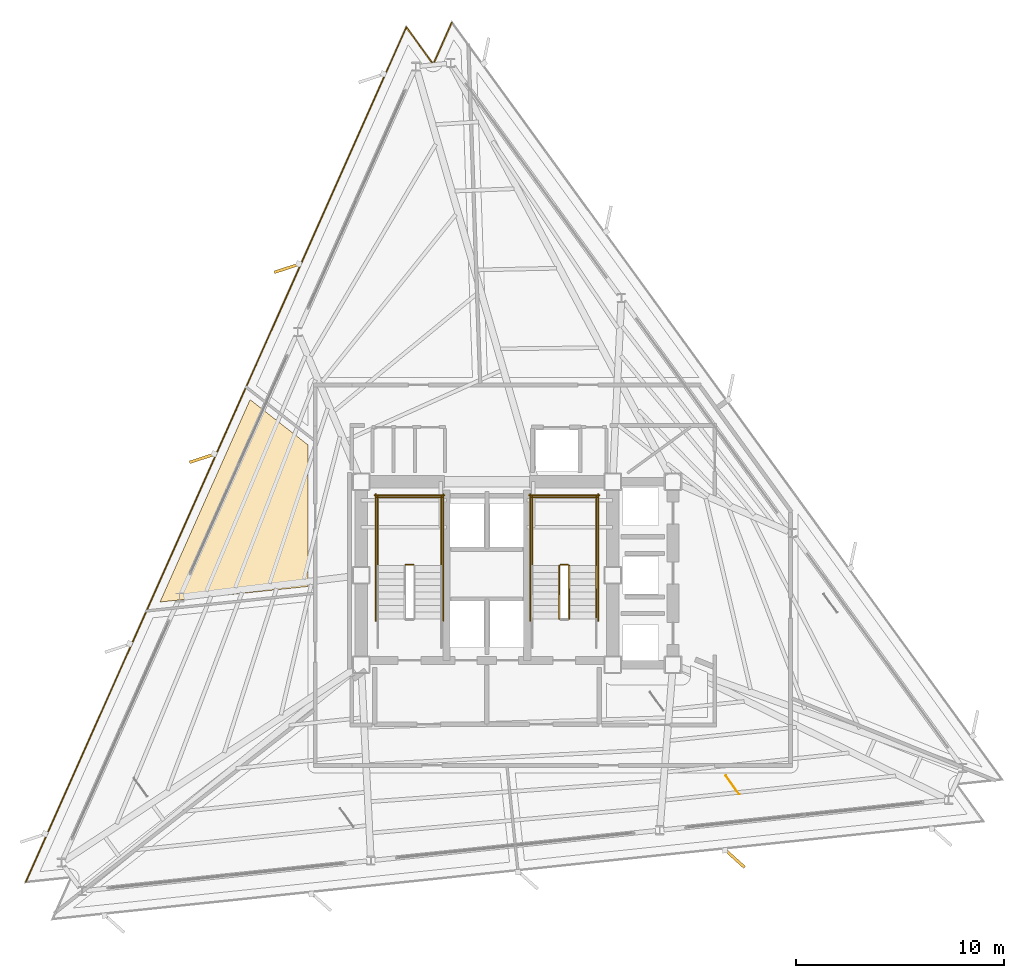
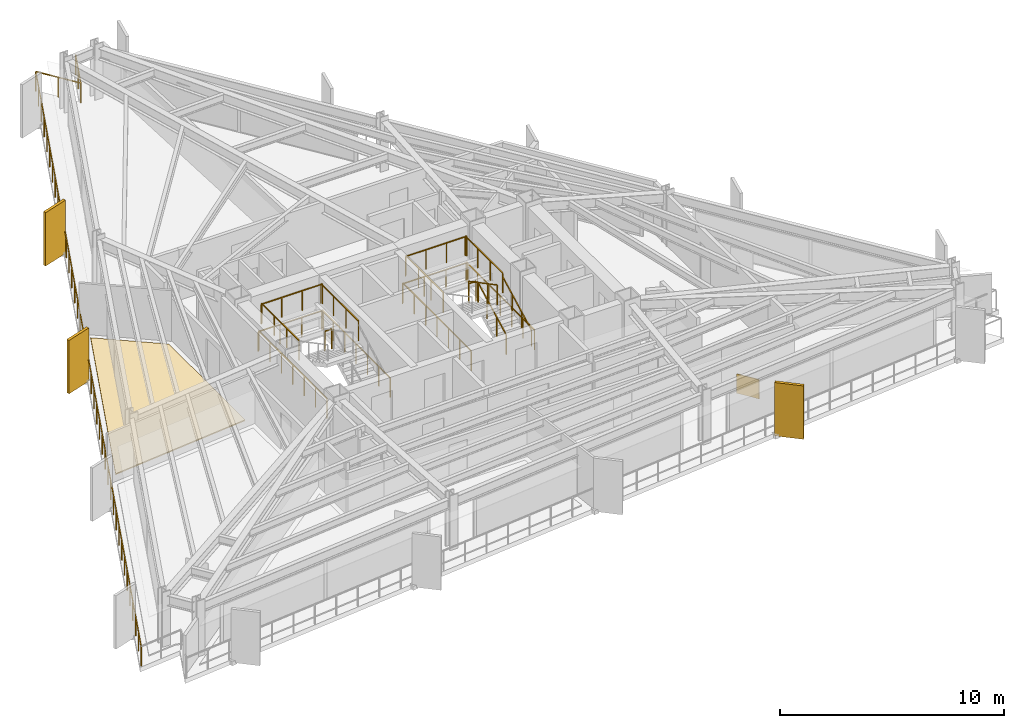
# One storey, part 11 of 12: 18 railings, 3 shading devices, 2 coverings.
"""IFC4 building model written with IfcOpenShell, lengths in metres."""

from ifc_helpers import new_model, si_unit, direction, frame, origin, origin_2d, place, context, subcontext, project, spatial, polyline, rectangle, outline, extrude, material, layer, layer_set, type_object, element, save


model = new_model("IFC4")

# Units and contexts
model_context = context("Model", 3, precision=1e-05, world=origin(), true_north=direction((0.0, 1.0)))
body_context = subcontext(model_context, "Body", "Model", "MODEL_VIEW")
ifc_project = project(units=[si_unit("LENGTHUNIT", "METRE"), si_unit("AREAUNIT", "SQUARE_METRE"), si_unit("VOLUMEUNIT", "CUBIC_METRE"), si_unit("PLANEANGLEUNIT", "RADIAN"), si_unit("MASSUNIT", "GRAM", prefix="KILO")], contexts=[model_context])

# Site, building, storey
site_placement = place(None, origin())
site = spatial("IfcSite", under=ifc_project, at=site_placement, CompositionType="ELEMENT")
building_placement = place(site_placement, origin())
building = spatial("IfcBuilding", under=site, at=building_placement, Name="Rocaltana Carrier Exchange", CompositionType="ELEMENT")
storey_placement = place(building_placement, frame((0.0, 0.0, 107.679931640625)))
storey = spatial("IfcBuildingStorey", under=building, at=storey_placement, Name="L33", CompositionType="ELEMENT", Elevation=107.679931640625)

# Covering
ifc_material_1 = material(Name="Calcium Sulphate & Aluminium Pedestal", Category="aluminium")
ifc_layer_1 = layer(ifc_material_1, 0.06005859375)
ifc_layer_set_1 = layer_set([ifc_layer_1], Name="Calcium Sulphate & Aluminium Pedestal")
covering_type_1 = type_object("IfcCoveringType", Name="Anti-Static Raised Exchange Access Floor 60", PredefinedType="FLOORING", material=ifc_layer_set_1)
covering_1_placement = place(storey_placement, origin())
element("IfcCovering", 1, at=covering_1_placement, inside=storey, type_object=covering_type_1, Name="L33 Carrier Peering Suite Finish Floor", PredefinedType="FLOORING", context=body_context, shape_type="SweptSolid", body=[
    extrude(outline(polyline([(-11.389404296875, 8.441650390625), (-8.610107421875, 6.27001953125), (-8.610107421875, -0.54296875), (-15.722412109375, -1.29052734375), (-11.389404296875, 8.441650390625)])), origin(), (0.0, 0.0, 1.0), 0.06005859375),
])

# Railings
ifc_material_2 = material(Name="Brushed Architectural Stainless Tube", Category="steel")
ifc_layer_2 = layer(ifc_material_2, 0.048095703125)
ifc_layer_set_2 = layer_set([ifc_layer_2], Name="Brushed Architectural Stainless Tube")
railing_type_1 = type_object("IfcRailingType", Name="Stair Wall Handrail 920", PredefinedType="HANDRAIL", material=ifc_layer_set_2)
railing_1_placement = place(storey_placement, frame((5.25, -2.10009765625, 0.1689453125)))
element("IfcRailing", 2, at=railing_1_placement, inside=storey, type_object=railing_type_1, Name="L33 ST-2 stair handrail 1", PredefinedType="HANDRAIL", context=body_context, shape_type="SweptSolid", body=[
    extrude(rectangle(XDim=0.048095703125, YDim=0.048095703125, at=origin_2d()), frame((0.0, 0.0, 0.8759765625), z_axis=(0.0, 0.884394423565, 0.466740295633), x_axis=(-1.0, 0.0, 0.0)), (0.0, 0.0, 1.0), 2.894775390625),
    extrude(rectangle(XDim=0.0419921875, YDim=0.0419921875, at=origin_2d()), origin(), (0.0, 0.0, 1.0), 0.851806640625),
    extrude(rectangle(XDim=0.0419921875, YDim=0.0419921875, at=origin_2d()), frame((0.0, 0.853271484375, 0.450439453125)), (0.0, 0.0, 1.0), 0.851806640625),
    extrude(rectangle(XDim=0.0419921875, YDim=0.0419921875, at=origin_2d()), frame((0.0, 1.706787109375, 0.900634765625)), (0.0, 0.0, 1.0), 0.851806640625),
    extrude(rectangle(XDim=0.0419921875, YDim=0.0419921875, at=origin_2d()), frame((0.0, 2.56005859375, 1.35107421875)), (0.0, 0.0, 1.0), 0.851806640625),
])
ifc_material_3 = material(Name="Powder-Coated Aluminium 6063-T6", Category="aluminium")
ifc_layer_3 = layer(ifc_material_3, 0.048095703125)
ifc_layer_set_3 = layer_set([ifc_layer_3], Name="Powder-Coated Aluminium 6063-T6")
railing_type_2 = type_object("IfcRailingType", Name="Stair Well Guardrail 1100", PredefinedType="GUARDRAIL", material=ifc_layer_set_3)
railing_2_placement = place(storey_placement, frame((-3.5400390625, 0.510009765625, 1.52001953125)))
element("IfcRailing", 3, at=railing_2_placement, inside=storey, type_object=railing_type_2, Name="L33 ST-1 stair guard 2", PredefinedType="GUARDRAIL", context=body_context, shape_type="SweptSolid", body=[
    extrude(rectangle(XDim=0.048095703125, YDim=0.048095703125, at=origin_2d()), frame((0.0, 0.0, 1.076171875), z_axis=(-1.0, 0.0, 0.0), x_axis=(0.0, -1.0, 0.0)), (0.0, 0.0, 1.0), 0.35986328125),
    extrude(rectangle(XDim=0.0419921875, YDim=0.0419921875, at=origin_2d()), origin(), (0.0, 0.0, 1.0), 1.052001953125),
    extrude(rectangle(XDim=0.0419921875, YDim=0.0419921875, at=origin_2d()), frame((-0.35986328125, 0.0, 0.0)), (0.0, 0.0, 1.0), 1.052001953125),
])
for number, where, name in (
    (4, (-2.18994140625, 0.4599609375, 1.52001953125), "L33 ST-1 stair guard 3"),
    (5, (-5.25, 0.4599609375, 1.52001953125), "L33 ST-1 stair guard 4"),
):
    element("IfcRailing", number, at=place(storey_placement, frame(where)), inside=storey, type_object=railing_type_2, Name=name, PredefinedType="GUARDRAIL", context=body_context, shape_type="SweptSolid", body=[
        extrude(rectangle(XDim=0.048095703125, YDim=0.048095703125, at=origin_2d()), frame((0.0, 0.0, 1.076171875), z_axis=(0.0, 1.0, 0.0), x_axis=(-1.0, 0.0, 0.0)), (0.0, 0.0, 1.0), 3.340087890625),
        extrude(rectangle(XDim=0.0419921875, YDim=0.0419921875, at=origin_2d()), origin(), (0.0, 0.0, 1.0), 1.052001953125),
        extrude(rectangle(XDim=0.0419921875, YDim=0.0419921875, at=origin_2d()), frame((0.0, 1.11328125, 0.0)), (0.0, 0.0, 1.0), 1.052001953125),
        extrude(rectangle(XDim=0.0419921875, YDim=0.0419921875, at=origin_2d()), frame((0.0, 2.226806640625, 0.0)), (0.0, 0.0, 1.0), 1.052001953125),
        extrude(rectangle(XDim=0.0419921875, YDim=0.0419921875, at=origin_2d()), frame((0.0, 3.340087890625, 0.0)), (0.0, 0.0, 1.0), 1.052001953125),
    ])
railing_3_placement = place(storey_placement, frame((-2.139892578125, 3.75, 1.52001953125)))
element("IfcRailing", 6, at=railing_3_placement, inside=storey, type_object=railing_type_2, Name="L33 ST-1 stair guard 5", PredefinedType="GUARDRAIL", context=body_context, shape_type="SweptSolid", body=[
    extrude(rectangle(XDim=0.048095703125, YDim=0.048095703125, at=origin_2d()), frame((0.0, 0.0, 1.076171875), z_axis=(-1.0, 0.0, 0.0), x_axis=(0.0, -1.0, 0.0)), (0.0, 0.0, 1.0), 3.16015625),
    extrude(rectangle(XDim=0.0419921875, YDim=0.0419921875, at=origin_2d()), origin(), (0.0, 0.0, 1.0), 1.052001953125),
    extrude(rectangle(XDim=0.0419921875, YDim=0.0419921875, at=origin_2d()), frame((-1.053466796875, 0.0, 0.0)), (0.0, 0.0, 1.0), 1.052001953125),
    extrude(rectangle(XDim=0.0419921875, YDim=0.0419921875, at=origin_2d()), frame((-2.106689453125, 0.0, 0.0)), (0.0, 0.0, 1.0), 1.052001953125),
    extrude(rectangle(XDim=0.0419921875, YDim=0.0419921875, at=origin_2d()), frame((-3.16015625, 0.0, 0.0)), (0.0, 0.0, 1.0), 1.052001953125),
])
for number, where, name in (
    (7, (-2.090087890625, -2.199951171875, 0.0), "L33 ST-1 stair guard 10"),
    (8, (-5.35009765625, -2.199951171875, 0.0), "L33 ST-1 stair guard 11"),
):
    element("IfcRailing", number, at=place(storey_placement, frame(where)), inside=storey, type_object=railing_type_2, Name=name, PredefinedType="GUARDRAIL", context=body_context, shape_type="SweptSolid", body=[
        extrude(rectangle(XDim=0.048095703125, YDim=0.048095703125, at=origin_2d()), frame((0.0, 0.0, 1.076171875), z_axis=(0.0, 1.0, 0.0), x_axis=(-1.0, 0.0, 0.0)), (0.0, 0.0, 1.0), 6.099853515625),
        extrude(rectangle(XDim=0.0419921875, YDim=0.0419921875, at=origin_2d()), origin(), (0.0, 0.0, 1.0), 1.052001953125),
        extrude(rectangle(XDim=0.0419921875, YDim=0.0419921875, at=origin_2d()), frame((0.0, 1.0166015625, 0.0)), (0.0, 0.0, 1.0), 1.052001953125),
        extrude(rectangle(XDim=0.0419921875, YDim=0.0419921875, at=origin_2d()), frame((0.0, 2.033203125, 0.0)), (0.0, 0.0, 1.0), 1.052001953125),
        extrude(rectangle(XDim=0.0419921875, YDim=0.0419921875, at=origin_2d()), frame((0.0, 3.0498046875, 0.0)), (0.0, 0.0, 1.0), 1.052001953125),
        extrude(rectangle(XDim=0.0419921875, YDim=0.0419921875, at=origin_2d()), frame((0.0, 4.066650390625, 0.0)), (0.0, 0.0, 1.0), 1.052001953125),
        extrude(rectangle(XDim=0.0419921875, YDim=0.0419921875, at=origin_2d()), frame((0.0, 5.083251953125, 0.0)), (0.0, 0.0, 1.0), 1.052001953125),
        extrude(rectangle(XDim=0.0419921875, YDim=0.0419921875, at=origin_2d()), frame((0.0, 6.099853515625, 0.0)), (0.0, 0.0, 1.0), 1.052001953125),
    ])
railing_4_placement = place(storey_placement, frame((-2.0400390625, 3.85009765625, 0.0)))
element("IfcRailing", 9, at=railing_4_placement, inside=storey, type_object=railing_type_2, Name="L33 ST-1 stair guard 12", PredefinedType="GUARDRAIL", context=body_context, shape_type="SweptSolid", body=[
    extrude(rectangle(XDim=0.048095703125, YDim=0.048095703125, at=origin_2d()), frame((0.0, 0.0, 1.076171875), z_axis=(-1.0, 0.0, 0.0), x_axis=(0.0, -1.0, 0.0)), (0.0, 0.0, 1.0), 3.35986328125),
    extrude(rectangle(XDim=0.0419921875, YDim=0.0419921875, at=origin_2d()), origin(), (0.0, 0.0, 1.0), 1.052001953125),
    extrude(rectangle(XDim=0.0419921875, YDim=0.0419921875, at=origin_2d()), frame((-1.119873046875, 0.0, 0.0)), (0.0, 0.0, 1.0), 1.052001953125),
    extrude(rectangle(XDim=0.0419921875, YDim=0.0419921875, at=origin_2d()), frame((-2.239990234375, 0.0, 0.0)), (0.0, 0.0, 1.0), 1.052001953125),
    extrude(rectangle(XDim=0.0419921875, YDim=0.0419921875, at=origin_2d()), frame((-3.35986328125, 0.0, 0.0)), (0.0, 0.0, 1.0), 1.052001953125),
])
railing_5_placement = place(storey_placement, frame((3.949951171875, -2.10009765625, 0.1689453125)))
element("IfcRailing", 10, at=railing_5_placement, inside=storey, type_object=railing_type_2, Name="L33 ST-2 stair guard 1", PredefinedType="GUARDRAIL", context=body_context, shape_type="SweptSolid", body=[
    extrude(rectangle(XDim=0.048095703125, YDim=0.048095703125, at=origin_2d()), frame((0.0, 0.0, 1.076171875), z_axis=(0.0, 0.884394423565, 0.466740295633), x_axis=(-1.0, 0.0, 0.0)), (0.0, 0.0, 1.0), 2.894775390625),
    extrude(rectangle(XDim=0.0419921875, YDim=0.0419921875, at=origin_2d()), origin(), (0.0, 0.0, 1.0), 1.052001953125),
    extrude(rectangle(XDim=0.0419921875, YDim=0.0419921875, at=origin_2d()), frame((0.0, 0.853271484375, 0.450439453125)), (0.0, 0.0, 1.0), 1.052001953125),
    extrude(rectangle(XDim=0.0419921875, YDim=0.0419921875, at=origin_2d()), frame((0.0, 1.706787109375, 0.900634765625)), (0.0, 0.0, 1.0), 1.052001953125),
    extrude(rectangle(XDim=0.0419921875, YDim=0.0419921875, at=origin_2d()), frame((0.0, 2.56005859375, 1.35107421875)), (0.0, 0.0, 1.0), 1.052001953125),
])
railing_6_placement = place(storey_placement, frame((3.89990234375, 0.510009765625, 1.52001953125)))
element("IfcRailing", 11, at=railing_6_placement, inside=storey, type_object=railing_type_2, Name="L33 ST-2 stair guard 2", PredefinedType="GUARDRAIL", context=body_context, shape_type="SweptSolid", body=[
    extrude(rectangle(XDim=0.048095703125, YDim=0.048095703125, at=origin_2d()), frame((0.0, 0.0, 1.076171875), z_axis=(-1.0, 0.0, 0.0), x_axis=(0.0, -1.0, 0.0)), (0.0, 0.0, 1.0), 0.35986328125),
    extrude(rectangle(XDim=0.0419921875, YDim=0.0419921875, at=origin_2d()), origin(), (0.0, 0.0, 1.0), 1.052001953125),
    extrude(rectangle(XDim=0.0419921875, YDim=0.0419921875, at=origin_2d()), frame((-0.35986328125, 0.0, 0.0)), (0.0, 0.0, 1.0), 1.052001953125),
])
for number, where, name in (
    (12, (5.25, 0.4599609375, 1.52001953125), "L33 ST-2 stair guard 3"),
    (13, (2.18994140625, 0.4599609375, 1.52001953125), "L33 ST-2 stair guard 4"),
):
    element("IfcRailing", number, at=place(storey_placement, frame(where)), inside=storey, type_object=railing_type_2, Name=name, PredefinedType="GUARDRAIL", context=body_context, shape_type="SweptSolid", body=[
        extrude(rectangle(XDim=0.048095703125, YDim=0.048095703125, at=origin_2d()), frame((0.0, 0.0, 1.076171875), z_axis=(0.0, 1.0, 0.0), x_axis=(-1.0, 0.0, 0.0)), (0.0, 0.0, 1.0), 3.340087890625),
        extrude(rectangle(XDim=0.0419921875, YDim=0.0419921875, at=origin_2d()), origin(), (0.0, 0.0, 1.0), 1.052001953125),
        extrude(rectangle(XDim=0.0419921875, YDim=0.0419921875, at=origin_2d()), frame((0.0, 1.11328125, 0.0)), (0.0, 0.0, 1.0), 1.052001953125),
        extrude(rectangle(XDim=0.0419921875, YDim=0.0419921875, at=origin_2d()), frame((0.0, 2.226806640625, 0.0)), (0.0, 0.0, 1.0), 1.052001953125),
        extrude(rectangle(XDim=0.0419921875, YDim=0.0419921875, at=origin_2d()), frame((0.0, 3.340087890625, 0.0)), (0.0, 0.0, 1.0), 1.052001953125),
    ])
railing_7_placement = place(storey_placement, frame((5.300048828125, 3.75, 1.52001953125)))
element("IfcRailing", 14, at=railing_7_placement, inside=storey, type_object=railing_type_2, Name="L33 ST-2 stair guard 5", PredefinedType="GUARDRAIL", context=body_context, shape_type="SweptSolid", body=[
    extrude(rectangle(XDim=0.048095703125, YDim=0.048095703125, at=origin_2d()), frame((0.0, 0.0, 1.076171875), z_axis=(-1.0, 0.0, 0.0), x_axis=(0.0, -1.0, 0.0)), (0.0, 0.0, 1.0), 3.16015625),
    extrude(rectangle(XDim=0.0419921875, YDim=0.0419921875, at=origin_2d()), origin(), (0.0, 0.0, 1.0), 1.052001953125),
    extrude(rectangle(XDim=0.0419921875, YDim=0.0419921875, at=origin_2d()), frame((-1.053466796875, 0.0, 0.0)), (0.0, 0.0, 1.0), 1.052001953125),
    extrude(rectangle(XDim=0.0419921875, YDim=0.0419921875, at=origin_2d()), frame((-2.106689453125, 0.0, 0.0)), (0.0, 0.0, 1.0), 1.052001953125),
    extrude(rectangle(XDim=0.0419921875, YDim=0.0419921875, at=origin_2d()), frame((-3.16015625, 0.0, 0.0)), (0.0, 0.0, 1.0), 1.052001953125),
])
railing_8_placement = place(storey_placement, frame((3.489990234375, 0.4599609375, 1.68896484375)))
element("IfcRailing", 15, at=railing_8_placement, inside=storey, type_object=railing_type_2, Name="L33 ST-2 stair guard 6", PredefinedType="GUARDRAIL", context=body_context, shape_type="SweptSolid", body=[
    extrude(rectangle(XDim=0.048095703125, YDim=0.048095703125, at=origin_2d()), frame((0.0, 0.0, 1.076171875), z_axis=(0.0, -0.884394423565, 0.466740295633), x_axis=(1.0, 0.0, 0.0)), (0.0, 0.0, 1.0), 2.894775390625),
    extrude(rectangle(XDim=0.0419921875, YDim=0.0419921875, at=origin_2d()), origin(), (0.0, 0.0, 1.0), 1.052001953125),
    extrude(rectangle(XDim=0.0419921875, YDim=0.0419921875, at=origin_2d()), frame((0.0, -0.853271484375, 0.450439453125)), (0.0, 0.0, 1.0), 1.052001953125),
    extrude(rectangle(XDim=0.0419921875, YDim=0.0419921875, at=origin_2d()), frame((0.0, -1.706787109375, 0.900634765625)), (0.0, 0.0, 1.0), 1.052001953125),
    extrude(rectangle(XDim=0.0419921875, YDim=0.0419921875, at=origin_2d()), frame((0.0, -2.56005859375, 1.35107421875)), (0.0, 0.0, 1.0), 1.052001953125),
])
for number, where, name in (
    (16, (5.35009765625, -2.199951171875, 0.0), "L33 ST-2 stair guard 10"),
    (17, (2.090087890625, -2.199951171875, 0.0), "L33 ST-2 stair guard 11"),
):
    element("IfcRailing", number, at=place(storey_placement, frame(where)), inside=storey, type_object=railing_type_2, Name=name, PredefinedType="GUARDRAIL", context=body_context, shape_type="SweptSolid", body=[
        extrude(rectangle(XDim=0.048095703125, YDim=0.048095703125, at=origin_2d()), frame((0.0, 0.0, 1.076171875), z_axis=(0.0, 1.0, 0.0), x_axis=(-1.0, 0.0, 0.0)), (0.0, 0.0, 1.0), 6.099853515625),
        extrude(rectangle(XDim=0.0419921875, YDim=0.0419921875, at=origin_2d()), origin(), (0.0, 0.0, 1.0), 1.052001953125),
        extrude(rectangle(XDim=0.0419921875, YDim=0.0419921875, at=origin_2d()), frame((0.0, 1.0166015625, 0.0)), (0.0, 0.0, 1.0), 1.052001953125),
        extrude(rectangle(XDim=0.0419921875, YDim=0.0419921875, at=origin_2d()), frame((0.0, 2.033203125, 0.0)), (0.0, 0.0, 1.0), 1.052001953125),
        extrude(rectangle(XDim=0.0419921875, YDim=0.0419921875, at=origin_2d()), frame((0.0, 3.0498046875, 0.0)), (0.0, 0.0, 1.0), 1.052001953125),
        extrude(rectangle(XDim=0.0419921875, YDim=0.0419921875, at=origin_2d()), frame((0.0, 4.066650390625, 0.0)), (0.0, 0.0, 1.0), 1.052001953125),
        extrude(rectangle(XDim=0.0419921875, YDim=0.0419921875, at=origin_2d()), frame((0.0, 5.083251953125, 0.0)), (0.0, 0.0, 1.0), 1.052001953125),
        extrude(rectangle(XDim=0.0419921875, YDim=0.0419921875, at=origin_2d()), frame((0.0, 6.099853515625, 0.0)), (0.0, 0.0, 1.0), 1.052001953125),
    ])
railing_9_placement = place(storey_placement, frame((5.39990234375, 3.85009765625, 0.0)))
element("IfcRailing", 18, at=railing_9_placement, inside=storey, type_object=railing_type_2, Name="L33 ST-2 stair guard 12", PredefinedType="GUARDRAIL", context=body_context, shape_type="SweptSolid", body=[
    extrude(rectangle(XDim=0.048095703125, YDim=0.048095703125, at=origin_2d()), frame((0.0, 0.0, 1.076171875), z_axis=(-1.0, 0.0, 0.0), x_axis=(0.0, -1.0, 0.0)), (0.0, 0.0, 1.0), 3.35986328125),
    extrude(rectangle(XDim=0.0419921875, YDim=0.0419921875, at=origin_2d()), origin(), (0.0, 0.0, 1.0), 1.052001953125),
    extrude(rectangle(XDim=0.0419921875, YDim=0.0419921875, at=origin_2d()), frame((-1.119873046875, 0.0, 0.0)), (0.0, 0.0, 1.0), 1.052001953125),
    extrude(rectangle(XDim=0.0419921875, YDim=0.0419921875, at=origin_2d()), frame((-2.239990234375, 0.0, 0.0)), (0.0, 0.0, 1.0), 1.052001953125),
    extrude(rectangle(XDim=0.0419921875, YDim=0.0419921875, at=origin_2d()), frame((-3.35986328125, 0.0, 0.0)), (0.0, 0.0, 1.0), 1.052001953125),
])

# Covering
ifc_material_4 = material(Name="Honed Piedra Muneca Sandstone", Category="masonry")
ifc_layer_4 = layer(ifc_material_4, 0.034912109375)
ifc_layer_set_4 = layer_set([ifc_layer_4], Name="Honed Piedra Muneca Sandstone")
covering_type_2 = type_object("IfcCoveringType", Name="Stone Facade Cladding 35", PredefinedType="CLADDING", material=ifc_layer_set_4)
covering_2_placement = place(storey_placement, frame((11.811279296875, -10.088134765625, 0.0), z_axis=(0.0, 0.0, 1.0), x_axis=(-0.587785252292, 0.809016994375, 0.0)))
element("IfcCovering", 19, at=covering_2_placement, inside=storey, type_object=covering_type_2, Name="L33 Stone Facade Cladding Panel 3", PredefinedType="CLADDING", context=body_context, shape_type="SweptSolid", body=[
    extrude(rectangle(XDim=1.10009765625, YDim=0.034912109375, at=origin_2d()), origin(), (0.0, 0.0, 1.0), 1.050048828125),
])

# Shading devices
ifc_material_5 = material(Name="Honed Bogota Sandstone & Concrete C45/55", Category="masonry")
ifc_layer_5 = layer(ifc_material_5, 0.139892578125)
ifc_layer_set_5 = layer_set([ifc_layer_5], Name="Honed Bogota Sandstone & Concrete C45/55")
shading_device_type = type_object("IfcShadingDeviceType", Name="Vertical Sandstone Shading Fin 1320x140", PredefinedType="USERDEFINED", material=ifc_layer_set_5)
for number, where, z_axis, x_axis, name in (
    (20, (-9.602783203125, 14.767578125, -0.1201171875), (0.0, 0.0, 1.0), (-0.951056516295, -0.309016994375, 0.0), "L33 Sandstone Vertical Fin F2-02"),
    (21, (-13.670166015625, 5.632080078125, -0.1201171875), (0.0, 0.0, 1.0), (-0.951056516295, -0.309016994375, 0.0), "L33 Sandstone Vertical Fin F2-03"),
    (22, (11.902587890625, -13.609375, -0.1201171875), (0.0, 0.0, 1.0), (0.743144825477, -0.669130606359, 0.0), "L33 Sandstone Vertical Fin F3-04"),
):
    element("IfcShadingDevice", number, at=place(storey_placement, frame(where, z_axis=z_axis, x_axis=x_axis)), inside=storey, type_object=shading_device_type, Name=name, ObjectType="FIN", PredefinedType="USERDEFINED", context=body_context, shape_type="SweptSolid", body=[
        extrude(rectangle(XDim=1.320068359375, YDim=0.139892578125, at=origin_2d()), origin(), (0.0, 0.0, 1.0), 2.907958984375),
    ])

# Railing
ifc_material_6 = material(Name="Powder-Coated Aluminium 6063-T6", Category="aluminium")
ifc_layer_6 = layer(ifc_material_6, 0.06005859375)
ifc_layer_set_6 = layer_set([ifc_layer_6], Name="Powder-Coated Aluminium 6063-T6")
railing_type_3 = type_object("IfcRailingType", Name="Wind-Floor & Terrace Perimeter Guardrail 1100", PredefinedType="GUARDRAIL", material=ifc_layer_set_6)
railing_10_placement = place(storey_placement, frame((-22.175537109375, -14.751953125, 0.0)))
element("IfcRailing", 23, at=railing_10_placement, inside=storey, type_object=railing_type_3, Name="L33 Perimeter Balcony Guardrail 2", PredefinedType="GUARDRAIL", context=body_context, shape_type="SweptSolid", body=[
    extrude(rectangle(XDim=0.048095703125, YDim=0.048095703125, at=origin_2d()), frame((0.0, 0.0, 1.076171875), z_axis=(0.406732474308, 0.913547313686, 0.0), x_axis=(-0.913547313686, 0.406732474308, 0.0)), (0.0, 0.0, 1.0), 44.9921875),
    extrude(rectangle(XDim=0.048095703125, YDim=0.048095703125, at=origin_2d()), frame((18.2998046875, 41.1025390625, 1.076171875), z_axis=(0.587821928992, -0.808990345923, 0.0), x_axis=(0.808990345923, 0.587821928992, 0.0)), (0.0, 0.0, 1.0), 2.199951171875),
    extrude(rectangle(XDim=0.048095703125, YDim=0.048095703125, at=origin_2d()), frame((19.593017578125, 39.32275390625, 1.076171875), z_axis=(0.406725294076, 0.913550510459, 0.0), x_axis=(-0.913550510459, 0.406725294076, 0.0)), (0.0, 0.0, 1.0), 2.199951171875),
    extrude(rectangle(XDim=0.0419921875, YDim=0.0419921875, at=origin_2d()), origin(), (0.0, 0.0, 1.0), 1.052001953125),
    extrude(rectangle(XDim=0.0419921875, YDim=0.0419921875, at=origin_2d()), frame((0.481689453125, 1.08154296875, 0.0)), (0.0, 0.0, 1.0), 1.052001953125),
    extrude(rectangle(XDim=0.0419921875, YDim=0.0419921875, at=origin_2d()), frame((0.963134765625, 2.163330078125, 0.0)), (0.0, 0.0, 1.0), 1.052001953125),
    extrude(rectangle(XDim=0.0419921875, YDim=0.0419921875, at=origin_2d()), frame((1.44482421875, 3.244873046875, 0.0)), (0.0, 0.0, 1.0), 1.052001953125),
    extrude(rectangle(XDim=0.0419921875, YDim=0.0419921875, at=origin_2d()), frame((1.92626953125, 4.32666015625, 0.0)), (0.0, 0.0, 1.0), 1.052001953125),
    extrude(rectangle(XDim=0.0419921875, YDim=0.0419921875, at=origin_2d()), frame((2.407958984375, 5.408203125, 0.0)), (0.0, 0.0, 1.0), 1.052001953125),
    extrude(rectangle(XDim=0.0419921875, YDim=0.0419921875, at=origin_2d()), frame((2.889404296875, 6.489990234375, 0.0)), (0.0, 0.0, 1.0), 1.052001953125),
    extrude(rectangle(XDim=0.0419921875, YDim=0.0419921875, at=origin_2d()), frame((3.37109375, 7.571533203125, 0.0)), (0.0, 0.0, 1.0), 1.052001953125),
    extrude(rectangle(XDim=0.0419921875, YDim=0.0419921875, at=origin_2d()), frame((3.8525390625, 8.653076171875, 0.0)), (0.0, 0.0, 1.0), 1.052001953125),
    extrude(rectangle(XDim=0.0419921875, YDim=0.0419921875, at=origin_2d()), frame((4.334228515625, 9.73486328125, 0.0)), (0.0, 0.0, 1.0), 1.052001953125),
    extrude(rectangle(XDim=0.0419921875, YDim=0.0419921875, at=origin_2d()), frame((4.815673828125, 10.81640625, 0.0)), (0.0, 0.0, 1.0), 1.052001953125),
    extrude(rectangle(XDim=0.0419921875, YDim=0.0419921875, at=origin_2d()), frame((5.29736328125, 11.898193359375, 0.0)), (0.0, 0.0, 1.0), 1.052001953125),
    extrude(rectangle(XDim=0.0419921875, YDim=0.0419921875, at=origin_2d()), frame((5.77880859375, 12.979736328125, 0.0)), (0.0, 0.0, 1.0), 1.052001953125),
    extrude(rectangle(XDim=0.0419921875, YDim=0.0419921875, at=origin_2d()), frame((6.260498046875, 14.061279296875, 0.0)), (0.0, 0.0, 1.0), 1.052001953125),
    extrude(rectangle(XDim=0.0419921875, YDim=0.0419921875, at=origin_2d()), frame((6.741943359375, 15.14306640625, 0.0)), (0.0, 0.0, 1.0), 1.052001953125),
    extrude(rectangle(XDim=0.0419921875, YDim=0.0419921875, at=origin_2d()), frame((7.2236328125, 16.224609375, 0.0)), (0.0, 0.0, 1.0), 1.052001953125),
    extrude(rectangle(XDim=0.0419921875, YDim=0.0419921875, at=origin_2d()), frame((7.705078125, 17.306396484375, 0.0)), (0.0, 0.0, 1.0), 1.052001953125),
    extrude(rectangle(XDim=0.0419921875, YDim=0.0419921875, at=origin_2d()), frame((8.186767578125, 18.387939453125, 0.0)), (0.0, 0.0, 1.0), 1.052001953125),
    extrude(rectangle(XDim=0.0419921875, YDim=0.0419921875, at=origin_2d()), frame((8.668212890625, 19.4697265625, 0.0)), (0.0, 0.0, 1.0), 1.052001953125),
    extrude(rectangle(XDim=0.0419921875, YDim=0.0419921875, at=origin_2d()), frame((9.14990234375, 20.55126953125, 0.0)), (0.0, 0.0, 1.0), 1.052001953125),
    extrude(rectangle(XDim=0.0419921875, YDim=0.0419921875, at=origin_2d()), frame((9.631591796875, 21.6328125, 0.0)), (0.0, 0.0, 1.0), 1.052001953125),
    extrude(rectangle(XDim=0.0419921875, YDim=0.0419921875, at=origin_2d()), frame((10.113037109375, 22.714599609375, 0.0)), (0.0, 0.0, 1.0), 1.052001953125),
    extrude(rectangle(XDim=0.0419921875, YDim=0.0419921875, at=origin_2d()), frame((10.5947265625, 23.796142578125, 0.0)), (0.0, 0.0, 1.0), 1.052001953125),
    extrude(rectangle(XDim=0.0419921875, YDim=0.0419921875, at=origin_2d()), frame((11.076171875, 24.8779296875, 0.0)), (0.0, 0.0, 1.0), 1.052001953125),
    extrude(rectangle(XDim=0.0419921875, YDim=0.0419921875, at=origin_2d()), frame((11.557861328125, 25.95947265625, 0.0)), (0.0, 0.0, 1.0), 1.052001953125),
    extrude(rectangle(XDim=0.0419921875, YDim=0.0419921875, at=origin_2d()), frame((12.039306640625, 27.041259765625, 0.0)), (0.0, 0.0, 1.0), 1.052001953125),
    extrude(rectangle(XDim=0.0419921875, YDim=0.0419921875, at=origin_2d()), frame((12.52099609375, 28.122802734375, 0.0)), (0.0, 0.0, 1.0), 1.052001953125),
    extrude(rectangle(XDim=0.0419921875, YDim=0.0419921875, at=origin_2d()), frame((13.00244140625, 29.204345703125, 0.0)), (0.0, 0.0, 1.0), 1.052001953125),
    extrude(rectangle(XDim=0.0419921875, YDim=0.0419921875, at=origin_2d()), frame((13.484130859375, 30.2861328125, 0.0)), (0.0, 0.0, 1.0), 1.052001953125),
    extrude(rectangle(XDim=0.0419921875, YDim=0.0419921875, at=origin_2d()), frame((13.965576171875, 31.36767578125, 0.0)), (0.0, 0.0, 1.0), 1.052001953125),
    extrude(rectangle(XDim=0.0419921875, YDim=0.0419921875, at=origin_2d()), frame((14.447265625, 32.449462890625, 0.0)), (0.0, 0.0, 1.0), 1.052001953125),
    extrude(rectangle(XDim=0.0419921875, YDim=0.0419921875, at=origin_2d()), frame((14.9287109375, 33.531005859375, 0.0)), (0.0, 0.0, 1.0), 1.052001953125),
    extrude(rectangle(XDim=0.0419921875, YDim=0.0419921875, at=origin_2d()), frame((15.410400390625, 34.612548828125, 0.0)), (0.0, 0.0, 1.0), 1.052001953125),
    extrude(rectangle(XDim=0.0419921875, YDim=0.0419921875, at=origin_2d()), frame((15.891845703125, 35.6943359375, 0.0)), (0.0, 0.0, 1.0), 1.052001953125),
    extrude(rectangle(XDim=0.0419921875, YDim=0.0419921875, at=origin_2d()), frame((16.37353515625, 36.77587890625, 0.0)), (0.0, 0.0, 1.0), 1.052001953125),
    extrude(rectangle(XDim=0.0419921875, YDim=0.0419921875, at=origin_2d()), frame((16.85498046875, 37.857666015625, 0.0)), (0.0, 0.0, 1.0), 1.052001953125),
    extrude(rectangle(XDim=0.0419921875, YDim=0.0419921875, at=origin_2d()), frame((17.336669921875, 38.939208984375, 0.0)), (0.0, 0.0, 1.0), 1.052001953125),
    extrude(rectangle(XDim=0.0419921875, YDim=0.0419921875, at=origin_2d()), frame((17.818115234375, 40.02099609375, 0.0)), (0.0, 0.0, 1.0), 1.052001953125),
    extrude(rectangle(XDim=0.0419921875, YDim=0.0419921875, at=origin_2d()), frame((18.2998046875, 41.1025390625, 0.0)), (0.0, 0.0, 1.0), 1.052001953125),
    extrude(rectangle(XDim=0.0419921875, YDim=0.0419921875, at=origin_2d()), frame((18.9462890625, 40.212646484375, 0.0)), (0.0, 0.0, 1.0), 1.052001953125),
    extrude(rectangle(XDim=0.0419921875, YDim=0.0419921875, at=origin_2d()), frame((19.593017578125, 39.32275390625, 0.0)), (0.0, 0.0, 1.0), 1.052001953125),
    extrude(rectangle(XDim=0.0419921875, YDim=0.0419921875, at=origin_2d()), frame((20.04052734375, 40.32763671875, 0.0)), (0.0, 0.0, 1.0), 1.052001953125),
    extrude(rectangle(XDim=0.0419921875, YDim=0.0419921875, at=origin_2d()), frame((20.48779296875, 41.33251953125, 0.0)), (0.0, 0.0, 1.0), 1.052001953125),
])

save(model, "model.ifc")
